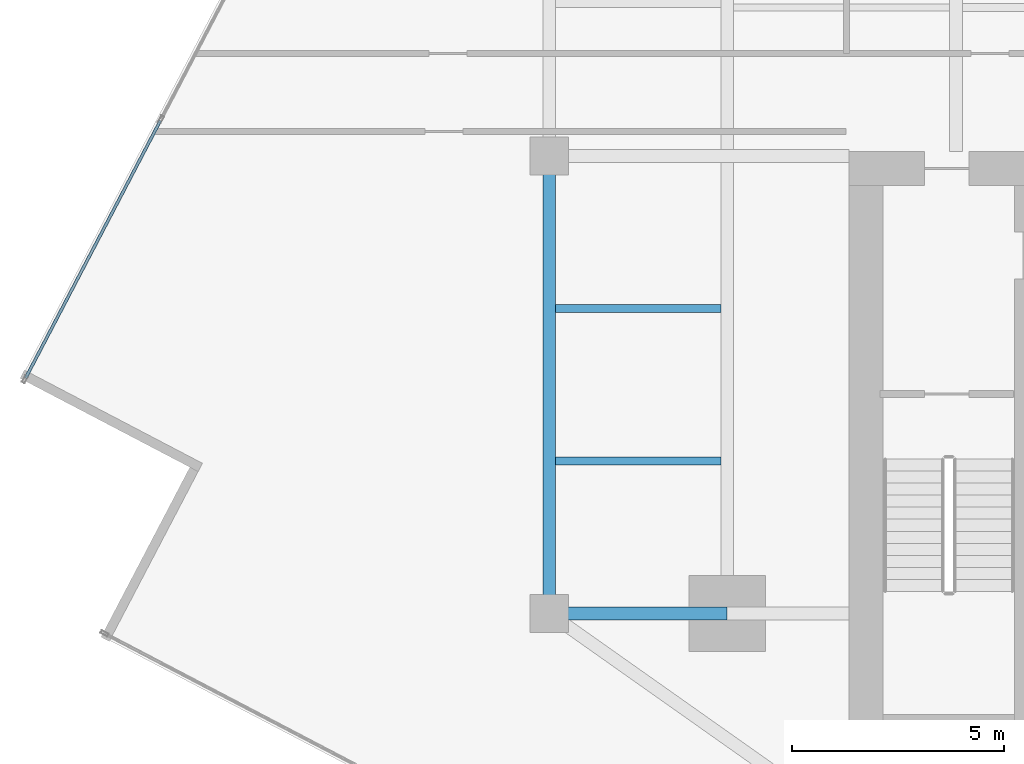
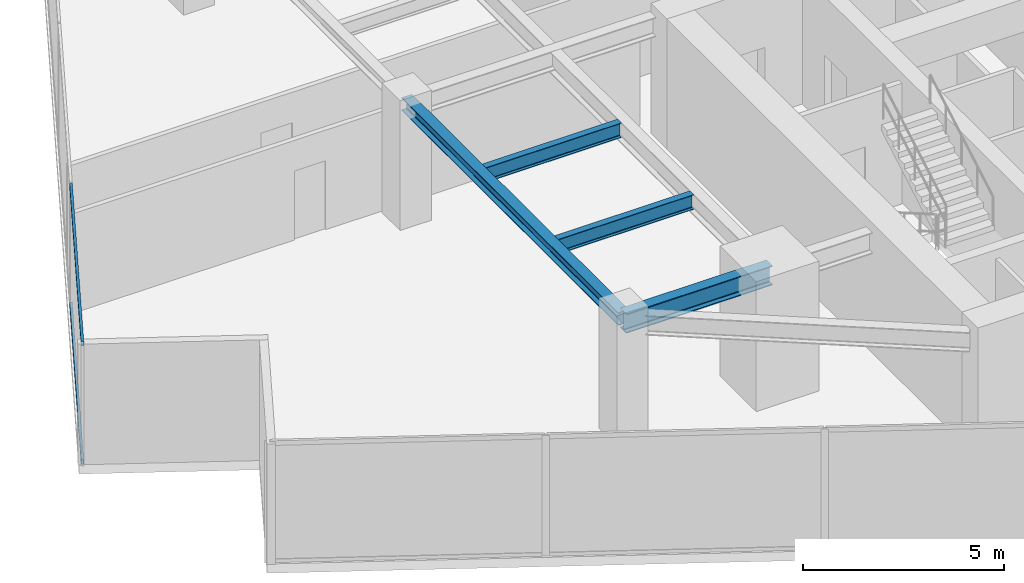
# One storey, part 6 of 27: 4 beams, 2 members, 1 element without a shape of its own.
"""IFC4 building model written with IfcOpenShell, lengths in metres."""

from ifc_helpers import new_model, si_unit, direction, frame, origin, origin_2d, place, context, subcontext, project, spatial, hollow_rectangle, i_section, extrude, source, transform, mapped, material, material_profile, profile_set, type_object, type_shapes, element, aggregate, save


model = new_model("IFC4")

# Units and contexts
model_context = context("Model", 3, precision=1e-05, world=origin(), true_north=direction((0.0, 1.0)))
body_context = subcontext(model_context, "Body", "Model", "MODEL_VIEW")
ifc_project = project(units=[si_unit("LENGTHUNIT", "METRE"), si_unit("AREAUNIT", "SQUARE_METRE"), si_unit("VOLUMEUNIT", "CUBIC_METRE"), si_unit("PLANEANGLEUNIT", "RADIAN"), si_unit("MASSUNIT", "GRAM", prefix="KILO")], contexts=[model_context])

# Site, building, storey
site_placement = place(None, origin())
site = spatial("IfcSite", under=ifc_project, at=site_placement, CompositionType="ELEMENT")
building_placement = place(site_placement, origin())
building = spatial("IfcBuilding", under=site, at=building_placement, Name="Krantzveldt Concourse Tower", CompositionType="ELEMENT")
storey_placement = place(building_placement, frame((0.0, 0.0, 154.10009765625)))
storey = spatial("IfcBuildingStorey", under=building, at=storey_placement, Name="L37", CompositionType="ELEMENT", Elevation=154.10009765625)

# Beams
ifc_material_1 = material(Name="Steel S355JR", Category="steel")
ifc_material_profile_1 = material_profile(ifc_material_1, i_section(OverallWidth=0.300048828125, OverallDepth=0.590087890625, WebThickness=0.012939453125, FlangeThickness=0.02490234375, FilletRadius=0.027099609375, at=origin_2d()), Name="Steel S355JR", Category="steel")
ifc_profile_set_1 = profile_set([ifc_material_profile_1], Name="Steel S355JR - HEA 600")
beam_type_1 = type_object("IfcBeamType", Name="BM-B-HEA600", PredefinedType="BEAM", material=ifc_profile_set_1)
shared_shape_1 = source(origin(), body_context, "Body", "SweptSolid", [
    extrude(i_section(OverallWidth=0.300048828125, OverallDepth=0.590087890625, WebThickness=0.012939453125, FlangeThickness=0.02490234375, FilletRadius=0.027099609375, at=origin_2d()), origin(), (0.0, 0.0, 1.0), 4.199951171875),
])
type_shapes(beam_type_1, [shared_shape_1])
beam_1_placement = place(storey_placement, frame((21.0, 15.89990234375, 3.375), z_axis=(1.0, 0.0, 0.0), x_axis=(0.0, 1.0, 0.0)))
element("IfcBeam", 1, at=beam_1_placement, inside=storey, type_object=beam_type_1, Name="L37 Tower Girder BR-RL1", PredefinedType="BEAM", context=body_context, shape_type="MappedRepresentation", body=[
    mapped(shared_shape_1, transform((0.0, 0.0, 0.0), x_axis=(1.0, 0.0, 0.0), y_axis=(0.0, 1.0, 0.0), z_axis=(0.0, 0.0, 1.0), scale=1.0)),
])
ifc_material_profile_2 = material_profile(ifc_material_1, i_section(OverallWidth=0.300048828125, OverallDepth=0.389892578125, WebThickness=0.010986328125, FlangeThickness=0.01904296875, FilletRadius=0.027099609375, at=origin_2d()), Name="Steel S355JR", Category="steel")
ifc_profile_set_2 = profile_set([ifc_material_profile_2], Name="Steel S355JR - HEA 400")
beam_type_2 = type_object("IfcBeamType", Name="BM-SP-HEA400", PredefinedType="SPANDREL", material=ifc_profile_set_2)
shared_shape_2 = source(origin(), body_context, "Body", "SweptSolid", [
    extrude(i_section(OverallWidth=0.300048828125, OverallDepth=0.389892578125, WebThickness=0.010986328125, FlangeThickness=0.01904296875, FilletRadius=0.027099609375, at=origin_2d()), origin(), (0.0, 0.0, 1.0), 10.800048828125),
])
type_shapes(beam_type_2, [shared_shape_2])
beam_2_placement = place(storey_placement, frame((21.0, 15.89990234375, 3.474853515625), z_axis=(0.0, 1.0, 0.0), x_axis=(-1.0, 0.0, 0.0)))
element("IfcBeam", 2, at=beam_2_placement, inside=storey, type_object=beam_type_2, Name="L37 Tower Girder SP-R01", PredefinedType="SPANDREL", context=body_context, shape_type="MappedRepresentation", body=[
    mapped(shared_shape_2, transform((0.0, 0.0, 0.0), x_axis=(1.0, 0.0, 0.0), y_axis=(0.0, 1.0, 0.0), z_axis=(0.0, 0.0, 1.0), scale=1.0)),
])
ifc_material_profile_3 = material_profile(ifc_material_1, i_section(OverallWidth=0.18994140625, OverallDepth=0.449951171875, WebThickness=0.009521484375, FlangeThickness=0.0146484375, FilletRadius=0.02099609375, at=origin_2d()), Name="Steel S355JR", Category="steel")
ifc_profile_set_3 = profile_set([ifc_material_profile_3], Name="Steel S355JR - IPE 450")
beam_type_3 = type_object("IfcBeamType", Name="BM-J-IPE450", PredefinedType="JOIST", material=ifc_profile_set_3)
shared_shape_3 = source(origin(), body_context, "Body", "SweptSolid", [
    extrude(i_section(OverallWidth=0.18994140625, OverallDepth=0.449951171875, WebThickness=0.009521484375, FlangeThickness=0.0146484375, FilletRadius=0.02099609375, at=origin_2d()), origin(), (0.0, 0.0, 1.0), 3.900146484375),
])
type_shapes(beam_type_3, [shared_shape_3])
for number, where, z_axis, x_axis, name in (
    (3, (21.14990234375, 19.5, 3.44482421875), (1.0, 0.0, 0.0), (0.0, 1.0, 0.0), "L37 Secondary Floor Joist JW-1"),
    (4, (21.14990234375, 23.10009765625, 3.44482421875), (1.0, 0.0, 0.0), (0.0, 1.0, 0.0), "L37 Secondary Floor Joist JW-2"),
):
    element("IfcBeam", number, at=place(storey_placement, frame(where, z_axis=z_axis, x_axis=x_axis)), inside=storey, type_object=beam_type_3, Name=name, PredefinedType="JOIST", context=body_context, shape_type="MappedRepresentation", body=[
        mapped(shared_shape_3, transform((0.0, 0.0, 0.0), x_axis=(1.0, 0.0, 0.0), y_axis=(0.0, 1.0, 0.0), z_axis=(0.0, 0.0, 1.0), scale=1.0)),
    ])

# Curtain wall, members
ifc_material_2 = material(Name="Anodised aluminium 6063-T6", Category="aluminium")
curtain_wall_type = type_object("IfcCurtainWallType", Name="CW3", PredefinedType="USERDEFINED", material=ifc_material_2)
curtain_wall_placement = place(storey_placement, origin())
curtain_wall = element("IfcCurtainWall", 5, at=curtain_wall_placement, inside=storey, type_object=curtain_wall_type, Name="CW-L37-F01", ObjectType="UNITISED CURTAIN WALL", PredefinedType="USERDEFINED")
ifc_material_profile_4 = material_profile(ifc_material_2, hollow_rectangle(XDim=0.070068359375, YDim=0.139892578125, WallThickness=0.0048828125, at=origin_2d()), Name="Anodised aluminium 6063-T6", Category="aluminium")
ifc_profile_set_4 = profile_set([ifc_material_profile_4], Name="Anodised aluminium 6063-T6 - ALU-TRAN 140x70x5")
member_type = type_object("IfcMemberType", Name="CW-TRN-150", PredefinedType="USERDEFINED", material=ifc_profile_set_4)
shared_shape_4 = source(origin(), body_context, "Body", "SweptSolid", [
    extrude(hollow_rectangle(XDim=0.070068359375, YDim=0.139892578125, WallThickness=0.0048828125, at=origin_2d()), origin(), (0.0, 0.0, 1.0), 6.85498046875),
])
type_shapes(member_type, [shared_shape_4])
member_1_placement = place(storey_placement, frame((11.8193359375, 27.531982421875, 0.034912109375), z_axis=(-0.463704875487, -0.885989722542, 0.0), x_axis=(0.885989722542, -0.463704875487, 0.0)))
member_1 = element("IfcMember", 6, at=member_1_placement, type_object=member_type, Name="CW-Z34 transom 5.1", ObjectType="TRANSOM", PredefinedType="USERDEFINED", context=body_context, shape_type="MappedRepresentation", body=[
    mapped(shared_shape_4, transform((0.0, 0.0, 0.0), x_axis=(1.0, 0.0, 0.0), y_axis=(0.0, 1.0, 0.0), z_axis=(0.0, 0.0, 1.0), scale=1.0)),
])
member_2_placement = place(storey_placement, frame((11.8193359375, 27.531982421875, 3.635009765625), z_axis=(-0.463704875487, -0.885989722542, 0.0), x_axis=(0.885989722542, -0.463704875487, 0.0)))
member_2 = element("IfcMember", 7, at=member_2_placement, type_object=member_type, Name="CW-Z34 transom 5.2", ObjectType="TRANSOM", PredefinedType="USERDEFINED", context=body_context, shape_type="MappedRepresentation", body=[
    mapped(shared_shape_4, transform((0.0, 0.0, 0.0), x_axis=(1.0, 0.0, 0.0), y_axis=(0.0, 1.0, 0.0), z_axis=(0.0, 0.0, 1.0), scale=1.0)),
])
aggregate(curtain_wall, [member_1, member_2])

save(model, "model.ifc")
